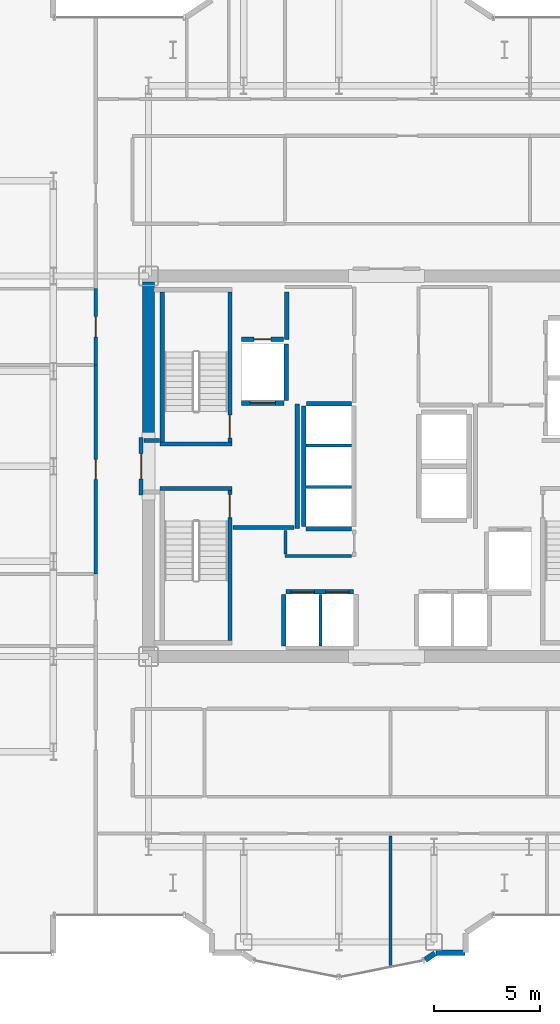
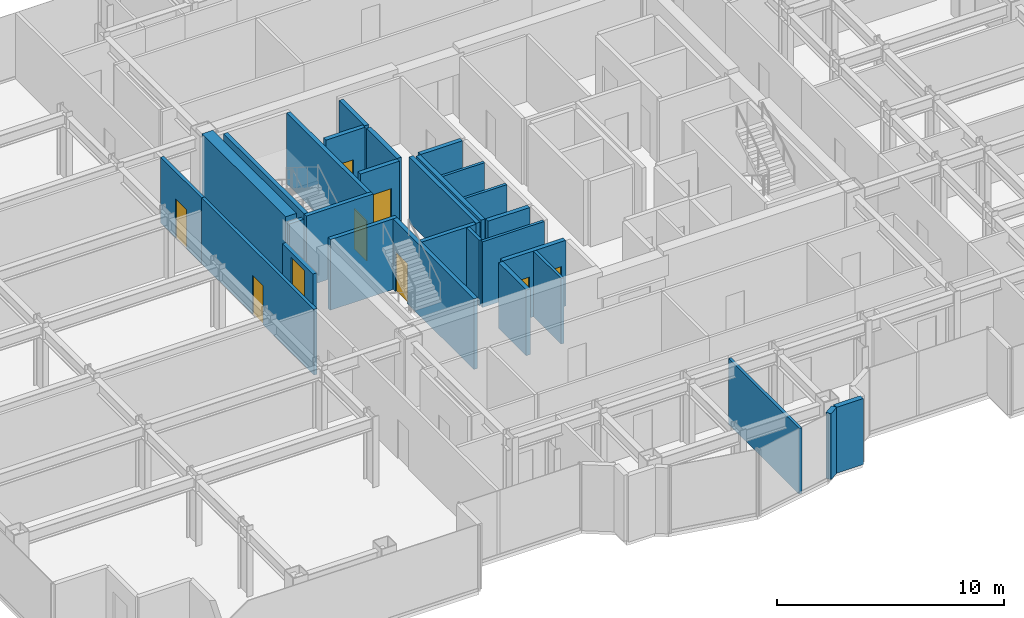
# One storey, part 21 of 26: 29 walls, 9 doors, 9 openings.
"""IFC4 building model written with IfcOpenShell, lengths in metres."""

from ifc_helpers import new_model, si_unit, direction, frame, frame_2d, origin, place, context, subcontext, project, spatial, rectangle, extrude, source, transform, mapped, material, layer, layer_set, type_object, element, fill, save


model = new_model("IFC4")

# Units and contexts
model_context = context("Model", 3, precision=1e-05, world=origin(), true_north=direction((0.0, 1.0)))
body_context = subcontext(model_context, "Body", "Model", "MODEL_VIEW")
ifc_project = project(units=[si_unit("LENGTHUNIT", "METRE"), si_unit("AREAUNIT", "SQUARE_METRE"), si_unit("VOLUMEUNIT", "CUBIC_METRE"), si_unit("PLANEANGLEUNIT", "RADIAN"), si_unit("MASSUNIT", "GRAM", prefix="KILO")], contexts=[model_context])

# Site, building, storey
site_placement = place(None, origin())
site = spatial("IfcSite", under=ifc_project, at=site_placement, CompositionType="ELEMENT")
building_placement = place(site_placement, origin())
building = spatial("IfcBuilding", under=site, at=building_placement, Name="Nefas-Gora Pilgrimage Tower", CompositionType="ELEMENT")
storey_placement = place(building_placement, frame((0.0, 0.0, 160.199951171875)))
storey = spatial("IfcBuildingStorey", under=building, at=storey_placement, Name="L39", CompositionType="ELEMENT", Elevation=160.199951171875)

# Walls
ifc_material_1 = material(Name="Concrete C60/75", Category="concrete")
ifc_layer_1 = layer(ifc_material_1, 0.550048828125)
ifc_layer_set_1 = layer_set([ifc_layer_1], Name="Concrete C60/75")
wall_type_1 = type_object("IfcWallType", Name="SW-CORE-550", PredefinedType="SHEAR", material=ifc_layer_set_1)
shared_shape_1 = source(origin(), body_context, "Body", "SweptSolid", [
    extrude(rectangle(XDim=7.375, YDim=0.550048828125, at=frame_2d((3.6875, 0.0))), origin(), (0.0, 0.0, 1.0), 3.800048828125),
])
wall_1_placement = place(storey_placement, frame((-11.25, 1.35009765625, 0.0), z_axis=(0.0, 0.0, 1.0), x_axis=(0.0, 1.0, 0.0)))
element("IfcWall", 1, at=wall_1_placement, inside=storey, type_object=wall_type_1, Name="L39 Core Shear Wall W-North", PredefinedType="SHEAR", context=body_context, shape_type="MappedRepresentation", body=[
    mapped(shared_shape_1, transform((0.0, 0.0, 0.0), x_axis=(1.0, 0.0, 0.0), y_axis=(0.0, 1.0, 0.0), z_axis=(0.0, 0.0, 1.0), scale=1.0)),
])
ifc_material_2 = material(Name="Precast concrete C40/50", Category="concrete")
ifc_layer_2 = layer(ifc_material_2, 0.260009765625)
ifc_layer_set_2 = layer_set([ifc_layer_2], Name="Precast concrete C40/50")
wall_type_2 = type_object("IfcWallType", Name="EW-PORTAL-260", PredefinedType="SOLIDWALL", material=ifc_layer_set_2)
shared_shape_2 = source(origin(), body_context, "Body", "SweptSolid", [
    extrude(rectangle(XDim=1.369873046875, YDim=0.260009765625, at=frame_2d((0.68505859375, 0.0))), origin(), (0.0, 0.0, 1.0), 3.550048828125),
])
wall_2_placement = place(storey_placement, frame((2.35205078125, -23.02001953125, 0.0), z_axis=(0.0, 0.0, 1.0), x_axis=(1.0, 0.0, 0.0)))
element("IfcWall", 2, at=wall_2_placement, inside=storey, type_object=wall_type_2, Name="L39 Lobe Shoulder Precast Spandrel Pier 38", PredefinedType="SOLIDWALL", context=body_context, shape_type="MappedRepresentation", body=[
    mapped(shared_shape_2, transform((0.0, 0.0, 0.0), x_axis=(1.0, 0.0, 0.0), y_axis=(0.0, 1.0, 0.0), z_axis=(0.0, 0.0, 1.0), scale=1.0)),
])
shared_shape_3 = source(origin(), body_context, "Body", "SweptSolid", [
    extrude(rectangle(XDim=0.5654296875, YDim=0.260009765625, at=frame_2d((0.28271484375, 0.0))), origin(), (0.0, 0.0, 1.0), 3.550048828125),
])
wall_3_placement = place(storey_placement, frame((1.83056640625, -23.349609375, 0.0), z_axis=(0.0, 0.0, 1.0), x_axis=(0.831651492666, 0.555297933317, 0.0)))
element("IfcWall", 3, at=wall_3_placement, inside=storey, type_object=wall_type_2, Name="L39 Lobe Shoulder Precast Spandrel Pier 37", PredefinedType="SOLIDWALL", context=body_context, shape_type="MappedRepresentation", body=[
    mapped(shared_shape_3, transform((0.0, 0.0, 0.0), x_axis=(1.0, 0.0, 0.0), y_axis=(0.0, 1.0, 0.0), z_axis=(0.0, 0.0, 1.0), scale=1.0)),
])
ifc_material_3 = material(Name="Concrete C45/55", Category="concrete")
ifc_layer_3 = layer(ifc_material_3, 0.199951171875)
ifc_layer_set_3 = layer_set([ifc_layer_3], Name="Concrete C45/55")
wall_type_3 = type_object("IfcWallType", Name="IW-STAIR-200", PredefinedType="SOLIDWALL", material=ifc_layer_set_3)
shared_shape_4 = source(origin(), body_context, "Body", "SweptSolid", [
    extrude(rectangle(XDim=3.39990234375, YDim=0.199951171875, at=frame_2d((1.699951171875, 0.0))), origin(), (0.0, 0.0, 1.0), 3.800048828125),
])
for number, where, z_axis, x_axis, name in (
    (4, (-7.300048828125, 1.050048828125, 0.0), (0.0, 0.0, 1.0), (-1.0, 0.0, 0.0), "L39 Stairwell Shear Wall ST-01-near"),
    (5, (-10.699951171875, -1.050048828125, 0.0), (0.0, 0.0, 1.0), (1.0, 0.0, 0.0), "L39 Stairwell Shear Wall ST-03-near"),
):
    element("IfcWall", number, at=place(storey_placement, frame(where, z_axis=z_axis, x_axis=x_axis)), inside=storey, type_object=wall_type_3, Name=name, PredefinedType="SOLIDWALL", context=body_context, shape_type="MappedRepresentation", body=[
        mapped(shared_shape_4, transform((0.0, 0.0, 0.0), x_axis=(1.0, 0.0, 0.0), y_axis=(0.0, 1.0, 0.0), z_axis=(0.0, 0.0, 1.0), scale=1.0)),
    ])

# Wall, opening, door
shared_shape_5 = source(origin(), body_context, "Body", "SweptSolid", [
    extrude(rectangle(XDim=7.10009765625, YDim=0.199951171875, at=frame_2d((3.550048828125, 0.0))), origin(), (0.0, 0.0, 1.0), 3.800048828125),
])
wall_4_placement = place(storey_placement, frame((-7.39990234375, 1.14990234375, 0.0), z_axis=(0.0, 0.0, 1.0), x_axis=(0.0, 1.0, 0.0)))
wall_4 = element("IfcWall", 6, at=wall_4_placement, inside=storey, type_object=wall_type_3, Name="L39 Stairwell Shear Wall ST-01-left", PredefinedType="SOLIDWALL", context=body_context, shape_type="MappedRepresentation", body=[
    mapped(shared_shape_5, transform((0.0, 0.0, 0.0), x_axis=(1.0, 0.0, 0.0), y_axis=(0.0, 1.0, 0.0), z_axis=(0.0, 0.0, 1.0), scale=1.0)),
])
opening_1_placement = place(wall_4_placement, frame((0.179931640625, 0.0, 0.0)))
opening_1 = element("IfcOpeningElement", 7, at=opening_1_placement, cuts=wall_4, Name="Opening ID-ST1", PredefinedType="OPENING", context=body_context, shape_type="SweptSolid", body=[
    extrude(rectangle(XDim=1.10009765625, YDim=2.14990234375, at=frame_2d((0.550048828125, 1.074951171875))), frame((0.0, 0.10986328125, 0.0), z_axis=(0.0, -1.0, 0.0), x_axis=(1.0, 0.0, 0.0)), (0.0, 0.0, 1.0), 0.219970703125),
])
ifc_material_4 = material(Name="Painted galvanised steel fire stair door", Category="steel")
door_type_1 = type_object("IfcDoorType", Name="DR-INT-STAIR-1100", OperationType="NOTDEFINED", PredefinedType="DOOR", material=ifc_material_4)
shared_shape_6 = source(origin(), body_context, "Body", "SweptSolid", [
    extrude(rectangle(XDim=1.10009765625, YDim=2.14990234375, at=frame_2d((0.550048828125, 1.074951171875))), frame((0.0, 0.02490234375, 0.0), z_axis=(0.0, -1.0, 0.0), x_axis=(1.0, 0.0, 0.0)), (0.0, 0.0, 1.0), 0.050048828125),
])
door_1_placement = place(opening_1_placement, origin())
door_1 = element("IfcDoor", 8, at=door_1_placement, inside=storey, type_object=door_type_1, Name="L39 Protected Exit Stair Door ST-01", OperationType="SINGLE_SWING_LEFT", OverallHeight=2.14990234375, OverallWidth=1.10009765625, PredefinedType="DOOR", context=body_context, shape_type="MappedRepresentation", body=[
    mapped(shared_shape_6, transform((0.0, 0.0, 0.0), x_axis=(1.0, 0.0, 0.0), y_axis=(0.0, 1.0, 0.0), z_axis=(0.0, 0.0, 1.0), scale=1.0)),
])
fill(opening_1, door_1)

# Wall
wall_5_placement = place(storey_placement, frame((-10.60009765625, 1.14990234375, 0.0), z_axis=(0.0, 0.0, 1.0), x_axis=(0.0, 1.0, 0.0)))
element("IfcWall", 9, at=wall_5_placement, inside=storey, type_object=wall_type_3, Name="L39 Stairwell Shear Wall ST-01-right", PredefinedType="SOLIDWALL", context=body_context, shape_type="MappedRepresentation", body=[
    mapped(shared_shape_5, transform((0.0, 0.0, 0.0), x_axis=(1.0, 0.0, 0.0), y_axis=(0.0, 1.0, 0.0), z_axis=(0.0, 0.0, 1.0), scale=1.0)),
])

# Wall, opening, door
wall_6_placement = place(storey_placement, frame((-7.39990234375, -1.14990234375, 0.0), z_axis=(0.0, 0.0, 1.0), x_axis=(0.0, -1.0, 0.0)))
wall_6 = element("IfcWall", 10, at=wall_6_placement, inside=storey, type_object=wall_type_3, Name="L39 Stairwell Shear Wall ST-03-right", PredefinedType="SOLIDWALL", context=body_context, shape_type="MappedRepresentation", body=[
    mapped(shared_shape_5, transform((0.0, 0.0, 0.0), x_axis=(1.0, 0.0, 0.0), y_axis=(0.0, 1.0, 0.0), z_axis=(0.0, 0.0, 1.0), scale=1.0)),
])
opening_2_placement = place(wall_6_placement, frame((0.179931640625, 0.0, 0.0)))
opening_2 = element("IfcOpeningElement", 11, at=opening_2_placement, cuts=wall_6, Name="Opening ID-ST1", PredefinedType="OPENING", context=body_context, shape_type="SweptSolid", body=[
    extrude(rectangle(XDim=1.10009765625, YDim=2.14990234375, at=frame_2d((0.550048828125, 1.074951171875))), frame((0.0, 0.10986328125, 0.0), z_axis=(0.0, -1.0, 0.0), x_axis=(1.0, 0.0, 0.0)), (0.0, 0.0, 1.0), 0.219970703125),
])
door_2_placement = place(opening_2_placement, origin())
door_2 = element("IfcDoor", 12, at=door_2_placement, inside=storey, type_object=door_type_1, Name="L39 Protected Exit Stair Door ST-03", OperationType="SINGLE_SWING_LEFT", OverallHeight=2.14990234375, OverallWidth=1.10009765625, PredefinedType="DOOR", context=body_context, shape_type="MappedRepresentation", body=[
    mapped(shared_shape_6, transform((0.0, 0.0, 0.0), x_axis=(1.0, 0.0, 0.0), y_axis=(0.0, 1.0, 0.0), z_axis=(0.0, 0.0, 1.0), scale=1.0)),
])
fill(opening_2, door_2)

ifc_material_5 = material(Name="Concrete C40/50", Category="concrete")
ifc_layer_4 = layer(ifc_material_5, 0.219970703125)
ifc_layer_set_4 = layer_set([ifc_layer_4], Name="Concrete C40/50")
wall_type_4 = type_object("IfcWallType", Name="IW-SHAFT-220", PredefinedType="SOLIDWALL", material=ifc_layer_set_4)
shared_shape_7 = source(origin(), body_context, "Body", "SweptSolid", [
    extrude(rectangle(XDim=2.0, YDim=0.219970703125, at=frame_2d((1.0, 0.0))), origin(), (0.0, 0.0, 1.0), 3.53515625),
])
wall_7_placement = place(storey_placement, frame((-6.85009765625, 2.989990234375, 0.0), z_axis=(0.0, 0.0, 1.0), x_axis=(1.0, 0.0, 0.0)))
wall_7 = element("IfcWall", 13, at=wall_7_placement, inside=storey, type_object=wall_type_4, Name="L39 Hoistway Wall FFL-01-S", PredefinedType="SOLIDWALL", context=body_context, shape_type="MappedRepresentation", body=[
    mapped(shared_shape_7, transform((0.0, 0.0, 0.0), x_axis=(1.0, 0.0, 0.0), y_axis=(0.0, 1.0, 0.0), z_axis=(0.0, 0.0, 1.0), scale=1.0)),
])
opening_3_placement = place(wall_7_placement, frame((0.39990234375, 0.0, 0.0)))
opening_3 = element("IfcOpeningElement", 14, at=opening_3_placement, cuts=wall_7, Name="Opening LD-FF", PredefinedType="OPENING", context=body_context, shape_type="SweptSolid", body=[
    extrude(rectangle(XDim=1.199951171875, YDim=2.199951171875, at=frame_2d((0.60009765625, 1.10009765625))), frame((0.0, 0.119873046875, 0.0), z_axis=(0.0, -1.0, 0.0), x_axis=(1.0, 0.0, 0.0)), (0.0, 0.0, 1.0), 0.239990234375),
])
ifc_material_6 = material(Name="Fire-service sliding lift landing door")
door_type_2 = type_object("IfcDoorType", Name="DR-LIFT-FSAE-1200", OperationType="SLIDING_TO_LEFT", PredefinedType="DOOR", material=ifc_material_6)
shared_shape_8 = source(origin(), body_context, "Body", "SweptSolid", [
    extrude(rectangle(XDim=1.199951171875, YDim=2.199951171875, at=frame_2d((0.60009765625, 1.10009765625))), frame((0.0, 0.02490234375, 0.0), z_axis=(0.0, -1.0, 0.0), x_axis=(1.0, 0.0, 0.0)), (0.0, 0.0, 1.0), 0.050048828125),
])
door_3_placement = place(opening_3_placement, origin())
door_3 = element("IfcDoor", 15, at=door_3_placement, inside=storey, type_object=door_type_2, Name="L39 Sliding Lift Landing Door FFL-01", OperationType="SLIDING_TO_LEFT", OverallHeight=2.199951171875, OverallWidth=1.199951171875, PredefinedType="DOOR", context=body_context, shape_type="MappedRepresentation", body=[
    mapped(shared_shape_8, transform((0.0, 0.0, 0.0), x_axis=(1.0, 0.0, 0.0), y_axis=(0.0, 1.0, 0.0), z_axis=(0.0, 0.0, 1.0), scale=1.0)),
])
fill(opening_3, door_3)

# Wall
shared_shape_9 = source(origin(), body_context, "Body", "SweptSolid", [
    extrude(rectangle(XDim=2.679931640625, YDim=0.219970703125, at=frame_2d((1.33984375, 0.0))), origin(), (0.0, 0.0, 1.0), 3.53515625),
])
wall_8_placement = place(storey_placement, frame((-4.739990234375, 3.110107421875, 0.0), z_axis=(0.0, 0.0, 1.0), x_axis=(0.0, 1.0, 0.0)))
element("IfcWall", 16, at=wall_8_placement, inside=storey, type_object=wall_type_4, Name="L39 Hoistway Wall FFL-01-E", PredefinedType="SOLIDWALL", context=body_context, shape_type="MappedRepresentation", body=[
    mapped(shared_shape_9, transform((0.0, 0.0, 0.0), x_axis=(1.0, 0.0, 0.0), y_axis=(0.0, 1.0, 0.0), z_axis=(0.0, 0.0, 1.0), scale=1.0)),
])

# Wall, openings, doors
shared_shape_10 = source(origin(), body_context, "Body", "SweptSolid", [
    extrude(rectangle(XDim=3.199951171875, YDim=0.219970703125, at=frame_2d((1.60009765625, 0.0))), origin(), (0.0, 0.0, 1.0), 3.53515625),
])
wall_9_placement = place(storey_placement, frame((-1.550048828125, -5.93994140625, 0.0), z_axis=(0.0, 0.0, 1.0), x_axis=(-1.0, 0.0, 0.0)))
wall_9 = element("IfcWall", 17, at=wall_9_placement, inside=storey, type_object=wall_type_4, Name="L39 Hoistway Wall PL2-W-N", PredefinedType="SOLIDWALL", context=body_context, shape_type="MappedRepresentation", body=[
    mapped(shared_shape_10, transform((0.0, 0.0, 0.0), x_axis=(1.0, 0.0, 0.0), y_axis=(0.0, 1.0, 0.0), z_axis=(0.0, 0.0, 1.0), scale=1.0)),
])
opening_4_placement = place(wall_9_placement, frame((1.85009765625, 0.0, 0.0)))
opening_4 = element("IfcOpeningElement", 18, at=opening_4_placement, cuts=wall_9, Name="Opening LD-01", PredefinedType="OPENING", context=body_context, shape_type="SweptSolid", body=[
    extrude(rectangle(XDim=1.10009765625, YDim=2.199951171875, at=frame_2d((0.550048828125, 1.10009765625))), frame((0.0, 0.119873046875, 0.0), z_axis=(0.0, -1.0, 0.0), x_axis=(1.0, 0.0, 0.0)), (0.0, 0.0, 1.0), 0.239990234375),
])
opening_5_placement = place(wall_9_placement, frame((0.22509765625, 0.0, 0.0)))
opening_5 = element("IfcOpeningElement", 19, at=opening_5_placement, cuts=wall_9, Name="Opening LD-01", PredefinedType="OPENING", context=body_context, shape_type="SweptSolid", body=[
    extrude(rectangle(XDim=1.10009765625, YDim=2.199951171875, at=frame_2d((0.550048828125, 1.10009765625))), frame((0.0, 0.119873046875, 0.0), z_axis=(0.0, -1.0, 0.0), x_axis=(1.0, 0.0, 0.0)), (0.0, 0.0, 1.0), 0.239990234375),
])
ifc_material_7 = material(Name="Brushed stainless sliding lift landing door")
door_type_3 = type_object("IfcDoorType", Name="DR-LIFT-PASS-1100", OperationType="DOUBLE_DOOR_SLIDING", PredefinedType="DOOR", material=ifc_material_7)
shared_shape_11 = source(origin(), body_context, "Body", "SweptSolid", [
    extrude(rectangle(XDim=1.10009765625, YDim=2.199951171875, at=frame_2d((0.550048828125, 1.10009765625))), frame((0.0, 0.02490234375, 0.0), z_axis=(0.0, -1.0, 0.0), x_axis=(1.0, 0.0, 0.0)), (0.0, 0.0, 1.0), 0.050048828125),
])
door_4_placement = place(opening_4_placement, origin())
door_4 = element("IfcDoor", 20, at=door_4_placement, inside=storey, type_object=door_type_3, Name="L39 Sliding Lift Landing Door PL2-01", OperationType="DOUBLE_DOOR_SLIDING", OverallHeight=2.199951171875, OverallWidth=1.10009765625, PredefinedType="DOOR", context=body_context, shape_type="MappedRepresentation", body=[
    mapped(shared_shape_11, transform((0.0, 0.0, 0.0), x_axis=(1.0, 0.0, 0.0), y_axis=(0.0, 1.0, 0.0), z_axis=(0.0, 0.0, 1.0), scale=1.0)),
])
fill(opening_4, door_4)
door_5_placement = place(opening_5_placement, origin())
door_5 = element("IfcDoor", 21, at=door_5_placement, inside=storey, type_object=door_type_3, Name="L39 Sliding Lift Landing Door PL2-02", OperationType="DOUBLE_DOOR_SLIDING", OverallHeight=2.199951171875, OverallWidth=1.10009765625, PredefinedType="DOOR", context=body_context, shape_type="MappedRepresentation", body=[
    mapped(shared_shape_11, transform((0.0, 0.0, 0.0), x_axis=(1.0, 0.0, 0.0), y_axis=(0.0, 1.0, 0.0), z_axis=(0.0, 0.0, 1.0), scale=1.0)),
])
fill(opening_5, door_5)

# Walls
shared_shape_12 = source(origin(), body_context, "Body", "SweptSolid", [
    extrude(rectangle(XDim=2.429931640625, YDim=0.219970703125, at=frame_2d((1.21484375, 0.0))), origin(), (0.0, 0.0, 1.0), 3.53515625),
])
wall_10_placement = place(storey_placement, frame((-4.860107421875, -6.06005859375, 0.0), z_axis=(0.0, 0.0, 1.0), x_axis=(0.0, -1.0, 0.0)))
element("IfcWall", 22, at=wall_10_placement, inside=storey, type_object=wall_type_4, Name="L39 Hoistway Wall PL2-W-W", PredefinedType="SOLIDWALL", context=body_context, shape_type="MappedRepresentation", body=[
    mapped(shared_shape_12, transform((0.0, 0.0, 0.0), x_axis=(1.0, 0.0, 0.0), y_axis=(0.0, 1.0, 0.0), z_axis=(0.0, 0.0, 1.0), scale=1.0)),
])
ifc_material_8 = material(Name="Gypsum twin-stud partition")
ifc_layer_5 = layer(ifc_material_8, 0.139892578125)
ifc_layer_set_5 = layer_set([ifc_layer_5], Name="Gypsum twin-stud partition")
wall_type_5 = type_object("IfcWallType", Name="IW-UNIT-140", PredefinedType="PARTITIONING", material=ifc_layer_set_5)
shared_shape_13 = source(origin(), body_context, "Body", "SweptSolid", [
    extrude(rectangle(XDim=2.429931640625, YDim=0.139892578125, at=frame_2d((1.21484375, 0.0))), origin(), (0.0, 0.0, 1.0), 3.53515625),
])
wall_11_placement = place(storey_placement, frame((-3.125, -8.489990234375, 0.0), z_axis=(0.0, 0.0, 1.0), x_axis=(0.0, 1.0, 0.0)))
element("IfcWall", 23, at=wall_11_placement, inside=storey, type_object=wall_type_5, Name="L39 Hoistway Wall PL2-W-DIV", PredefinedType="PARTITIONING", context=body_context, shape_type="MappedRepresentation", body=[
    mapped(shared_shape_13, transform((0.0, 0.0, 0.0), x_axis=(1.0, 0.0, 0.0), y_axis=(0.0, 1.0, 0.0), z_axis=(0.0, 0.0, 1.0), scale=1.0)),
])
shared_shape_14 = source(origin(), body_context, "Body", "SweptSolid", [
    extrude(rectangle(XDim=5.7001953125, YDim=0.219970703125, at=frame_2d((2.85009765625, 0.0))), origin(), (0.0, 0.0, 1.0), 3.53515625),
])
wall_12_placement = place(storey_placement, frame((-3.909912109375, 2.85009765625, 0.0), z_axis=(0.0, 0.0, 1.0), x_axis=(0.0, -1.0, 0.0)))
element("IfcWall", 24, at=wall_12_placement, inside=storey, type_object=wall_type_4, Name="L39 Hoistway Wall PL3-01-03-W", PredefinedType="SOLIDWALL", context=body_context, shape_type="MappedRepresentation", body=[
    mapped(shared_shape_14, transform((0.0, 0.0, 0.0), x_axis=(1.0, 0.0, 0.0), y_axis=(0.0, 1.0, 0.0), z_axis=(0.0, 0.0, 1.0), scale=1.0)),
])
shared_shape_15 = source(origin(), body_context, "Body", "SweptSolid", [
    extrude(rectangle(XDim=2.130126953125, YDim=0.219970703125, at=frame_2d((1.06494140625, 0.0))), origin(), (0.0, 0.0, 1.0), 3.53515625),
])
for number, where, z_axis, x_axis, name in (
    (25, (-3.7900390625, -2.9599609375, 0.0), (0.0, 0.0, 1.0), (1.0, 0.0, 0.0), "L39 Hoistway Wall PL3-01-S"),
    (26, (-1.659912109375, 2.9599609375, 0.0), (0.0, 0.0, 1.0), (-1.0, 0.0, 0.0), "L39 Hoistway Wall PL3-03-N"),
):
    element("IfcWall", number, at=place(storey_placement, frame(where, z_axis=z_axis, x_axis=x_axis)), inside=storey, type_object=wall_type_4, Name=name, PredefinedType="SOLIDWALL", context=body_context, shape_type="MappedRepresentation", body=[
        mapped(shared_shape_15, transform((0.0, 0.0, 0.0), x_axis=(1.0, 0.0, 0.0), y_axis=(0.0, 1.0, 0.0), z_axis=(0.0, 0.0, 1.0), scale=1.0)),
    ])
shared_shape_16 = source(origin(), body_context, "Body", "SweptSolid", [
    extrude(rectangle(XDim=2.130126953125, YDim=0.139892578125, at=frame_2d((1.06494140625, 0.0))), origin(), (0.0, 0.0, 1.0), 3.53515625),
])
for number, where, z_axis, x_axis, name in (
    (27, (-3.7900390625, -0.97509765625, 0.0), (0.0, 0.0, 1.0), (1.0, 0.0, 0.0), "L39 Hoistway Wall PL3-01-02-DIV"),
    (28, (-3.7900390625, 0.97509765625, 0.0), (0.0, 0.0, 1.0), (1.0, 0.0, 0.0), "L39 Hoistway Wall PL3-02-03-DIV"),
):
    element("IfcWall", number, at=place(storey_placement, frame(where, z_axis=z_axis, x_axis=x_axis)), inside=storey, type_object=wall_type_5, Name=name, PredefinedType="PARTITIONING", context=body_context, shape_type="MappedRepresentation", body=[
        mapped(shared_shape_16, transform((0.0, 0.0, 0.0), x_axis=(1.0, 0.0, 0.0), y_axis=(0.0, 1.0, 0.0), z_axis=(0.0, 0.0, 1.0), scale=1.0)),
    ])

# Wall, opening, door
ifc_material_9 = material(Name="Gypsum fire-rated shaftwall")
ifc_layer_6 = layer(ifc_material_9, 0.199951171875)
ifc_layer_set_6 = layer_set([ifc_layer_6], Name="Gypsum fire-rated shaftwall")
wall_type_6 = type_object("IfcWallType", Name="IW-FFLOB-200", PredefinedType="PARTITIONING", material=ifc_layer_set_6)
shared_shape_17 = source(origin(), body_context, "Body", "SweptSolid", [
    extrude(rectangle(XDim=2.7001953125, YDim=0.199951171875, at=frame_2d((1.35009765625, 0.0))), origin(), (0.0, 0.0, 1.0), 2.425048828125),
])
wall_13_placement = place(storey_placement, frame((-11.60009765625, -1.35009765625, 0.0), z_axis=(0.0, 0.0, 1.0), x_axis=(0.0, 1.0, 0.0)))
wall_13 = element("IfcWall", 29, at=wall_13_placement, inside=storey, type_object=wall_type_6, Name="L39 FF Lobby West Portal Wall 4", PredefinedType="PARTITIONING", context=body_context, shape_type="MappedRepresentation", body=[
    mapped(shared_shape_17, transform((0.0, 0.0, 0.0), x_axis=(1.0, 0.0, 0.0), y_axis=(0.0, 1.0, 0.0), z_axis=(0.0, 0.0, 1.0), scale=1.0)),
])
opening_6_placement = place(wall_13_placement, frame((0.75, 0.0, 0.0)))
opening_6 = element("IfcOpeningElement", 30, at=opening_6_placement, cuts=wall_13, Name="Opening ID-FF1", PredefinedType="OPENING", context=body_context, shape_type="SweptSolid", body=[
    extrude(rectangle(XDim=1.199951171875, YDim=2.14990234375, at=frame_2d((0.60009765625, 1.074951171875))), frame((0.0, 0.10986328125, 0.0), z_axis=(0.0, -1.0, 0.0), x_axis=(1.0, 0.0, 0.0)), (0.0, 0.0, 1.0), 0.219970703125),
])
ifc_material_10 = material(Name="Smoke-sealed steel firefighting lobby door", Category="steel")
door_type_4 = type_object("IfcDoorType", Name="DR-INT-FFLOB-1200", OperationType="NOTDEFINED", PredefinedType="DOOR", material=ifc_material_10)
shared_shape_18 = source(origin(), body_context, "Body", "SweptSolid", [
    extrude(rectangle(XDim=1.199951171875, YDim=2.14990234375, at=frame_2d((0.60009765625, 1.074951171875))), frame((0.0, 0.02490234375, 0.0), z_axis=(0.0, -1.0, 0.0), x_axis=(1.0, 0.0, 0.0)), (0.0, 0.0, 1.0), 0.050048828125),
])
door_6_placement = place(opening_6_placement, origin())
door_6 = element("IfcDoor", 31, at=door_6_placement, inside=storey, type_object=door_type_4, Name="L39 FF Lobby West Portal Door 2", OperationType="SINGLE_SWING_LEFT", OverallHeight=2.14990234375, OverallWidth=1.199951171875, PredefinedType="DOOR", context=body_context, shape_type="MappedRepresentation", body=[
    mapped(shared_shape_18, transform((0.0, 0.0, 0.0), x_axis=(1.0, 0.0, 0.0), y_axis=(0.0, 1.0, 0.0), z_axis=(0.0, 0.0, 1.0), scale=1.0)),
])
fill(opening_6, door_6)

# Walls
shared_shape_19 = source(origin(), body_context, "Body", "SweptSolid", [
    extrude(rectangle(XDim=5.89990234375, YDim=0.199951171875, at=frame_2d((2.949951171875, 0.0))), origin(), (0.0, 0.0, 1.0), 3.53515625),
])
wall_14_placement = place(storey_placement, frame((-4.219970703125, -2.949951171875, 0.0), z_axis=(0.0, 0.0, 1.0), x_axis=(0.0, 1.0, 0.0)))
element("IfcWall", 32, at=wall_14_placement, inside=storey, type_object=wall_type_6, Name="L39 FF Lobby West Inner Wall Wall 5", PredefinedType="PARTITIONING", context=body_context, shape_type="MappedRepresentation", body=[
    mapped(shared_shape_19, transform((0.0, 0.0, 0.0), x_axis=(1.0, 0.0, 0.0), y_axis=(0.0, 1.0, 0.0), z_axis=(0.0, 0.0, 1.0), scale=1.0)),
])
shared_shape_20 = source(origin(), body_context, "Body", "SweptSolid", [
    extrude(rectangle(XDim=2.89990234375, YDim=0.199951171875, at=frame_2d((1.449951171875, 0.0))), origin(), (0.0, 0.0, 1.0), 3.53515625),
])
wall_15_placement = place(storey_placement, frame((-7.260009765625, -2.89990234375, 0.0), z_axis=(0.0, 0.0, 1.0), x_axis=(1.0, 0.0, 0.0)))
element("IfcWall", 33, at=wall_15_placement, inside=storey, type_object=wall_type_6, Name="L39 FF Lobby West South Wall Wall 6", PredefinedType="PARTITIONING", context=body_context, shape_type="MappedRepresentation", body=[
    mapped(shared_shape_20, transform((0.0, 0.0, 0.0), x_axis=(1.0, 0.0, 0.0), y_axis=(0.0, 1.0, 0.0), z_axis=(0.0, 0.0, 1.0), scale=1.0)),
])
shared_shape_21 = source(origin(), body_context, "Body", "SweptSolid", [
    extrude(rectangle(XDim=0.719970703125, YDim=0.199951171875, at=frame_2d((0.35986328125, 0.0))), origin(), (0.0, 0.0, 1.0), 3.53515625),
])
wall_16_placement = place(storey_placement, frame((-11.4599609375, 1.219970703125, 0.0), z_axis=(0.0, 0.0, 1.0), x_axis=(1.0, 0.0, 0.0)))
element("IfcWall", 34, at=wall_16_placement, inside=storey, type_object=wall_type_6, Name="L39 FF Lobby West Throat N Wall 7", PredefinedType="PARTITIONING", context=body_context, shape_type="MappedRepresentation", body=[
    mapped(shared_shape_21, transform((0.0, 0.0, 0.0), x_axis=(1.0, 0.0, 0.0), y_axis=(0.0, 1.0, 0.0), z_axis=(0.0, 0.0, 1.0), scale=1.0)),
])
shared_shape_22 = source(origin(), body_context, "Body", "SweptSolid", [
    extrude(rectangle(XDim=3.150146484375, YDim=0.139892578125, at=frame_2d((1.5751953125, 0.0))), origin(), (0.0, 0.0, 1.0), 3.53515625),
])
wall_17_placement = place(storey_placement, frame((-4.7900390625, -4.25, 0.0), z_axis=(0.0, 0.0, 1.0), x_axis=(1.0, 0.0, 0.0)))
element("IfcWall", 35, at=wall_17_placement, inside=storey, type_object=wall_type_5, Name="L39 Pilgrim Baggage and Gear Vault Partition Wall 21", PredefinedType="PARTITIONING", context=body_context, shape_type="MappedRepresentation", body=[
    mapped(shared_shape_22, transform((0.0, 0.0, 0.0), x_axis=(1.0, 0.0, 0.0), y_axis=(0.0, 1.0, 0.0), z_axis=(0.0, 0.0, 1.0), scale=1.0)),
])

# Wall, opening, door
ifc_material_11 = material(Name="Gypsum acoustic stud partition")
ifc_layer_7 = layer(ifc_material_11, 0.159912109375)
ifc_layer_set_7 = layer_set([ifc_layer_7], Name="Gypsum acoustic stud partition")
wall_type_7 = type_object("IfcWallType", Name="IW-CORR-160", PredefinedType="PARTITIONING", material=ifc_layer_set_7)
shared_shape_23 = source(origin(), body_context, "Body", "SweptSolid", [
    extrude(rectangle(XDim=3.610107421875, YDim=0.159912109375, at=frame_2d((1.80517578125, 0.0))), origin(), (0.0, 0.0, 1.0), 3.53515625),
])
wall_18_placement = place(storey_placement, frame((-13.739990234375, 4.794921875, 0.0), z_axis=(0.0, 0.0, 1.0), x_axis=(0.0, 1.0, 0.0)))
wall_18 = element("IfcWall", 36, at=wall_18_placement, inside=storey, type_object=wall_type_7, Name="L39 Pilgrim Fellowship Seminar Room Partition Wall 34", PredefinedType="PARTITIONING", context=body_context, shape_type="MappedRepresentation", body=[
    mapped(shared_shape_23, transform((0.0, 0.0, 0.0), x_axis=(1.0, 0.0, 0.0), y_axis=(0.0, 1.0, 0.0), z_axis=(0.0, 0.0, 1.0), scale=1.0)),
])
opening_7_placement = place(wall_18_placement, frame((1.330078125, 0.0, 0.0)))
opening_7 = element("IfcOpeningElement", 37, at=opening_7_placement, cuts=wall_18, Name="Opening ID-GR1", PredefinedType="OPENING", context=body_context, shape_type="SweptSolid", body=[
    extrude(rectangle(XDim=0.949951171875, YDim=2.10009765625, at=frame_2d((0.47509765625, 1.050048828125))), frame((0.0, 0.08984375, 0.0), z_axis=(0.0, -1.0, 0.0), x_axis=(1.0, 0.0, 0.0)), (0.0, 0.0, 1.0), 0.179931640625),
])
ifc_material_12 = material(Name="Solid core oak fire-rated guest entrance door")
door_type_5 = type_object("IfcDoorType", Name="DR-INT-GUEST-950", OperationType="NOTDEFINED", PredefinedType="DOOR", material=ifc_material_12)
shared_shape_24 = source(origin(), body_context, "Body", "SweptSolid", [
    extrude(rectangle(XDim=0.949951171875, YDim=2.10009765625, at=frame_2d((0.47509765625, 1.050048828125))), frame((0.0, 0.02490234375, 0.0), z_axis=(0.0, -1.0, 0.0), x_axis=(1.0, 0.0, 0.0)), (0.0, 0.0, 1.0), 0.050048828125),
])
door_7_placement = place(opening_7_placement, origin())
door_7 = element("IfcDoor", 38, at=door_7_placement, inside=storey, type_object=door_type_5, Name="L39 Pilgrim Fellowship Seminar Room Door 14", OperationType="SINGLE_SWING_LEFT", OverallHeight=2.10009765625, OverallWidth=0.949951171875, PredefinedType="DOOR", context=body_context, shape_type="MappedRepresentation", body=[
    mapped(shared_shape_24, transform((0.0, 0.0, 0.0), x_axis=(1.0, 0.0, 0.0), y_axis=(0.0, 1.0, 0.0), z_axis=(0.0, 0.0, 1.0), scale=1.0)),
])
fill(opening_7, door_7)

# Wall
shared_shape_25 = source(origin(), body_context, "Body", "SweptSolid", [
    extrude(rectangle(XDim=2.25, YDim=0.219970703125, at=frame_2d((1.125, 0.0))), origin(), (0.0, 0.0, 1.0), 3.53515625),
])
wall_19_placement = place(storey_placement, frame((-4.719970703125, 6.0, 0.0), z_axis=(0.0, 0.0, 1.0), x_axis=(0.0, 1.0, 0.0)))
element("IfcWall", 39, at=wall_19_placement, inside=storey, type_object=wall_type_4, Name="L39 Riser Shaft Wall 1", PredefinedType="SOLIDWALL", context=body_context, shape_type="MappedRepresentation", body=[
    mapped(shared_shape_25, transform((0.0, 0.0, 0.0), x_axis=(1.0, 0.0, 0.0), y_axis=(0.0, 1.0, 0.0), z_axis=(0.0, 0.0, 1.0), scale=1.0)),
])

# Wall, opening, door
shared_shape_26 = source(origin(), body_context, "Body", "SweptSolid", [
    extrude(rectangle(XDim=1.97998046875, YDim=0.219970703125, at=frame_2d((0.989990234375, 0.0))), origin(), (0.0, 0.0, 1.0), 3.53515625),
])
wall_20_placement = place(storey_placement, frame((-6.85009765625, 6.0, 0.0), z_axis=(0.0, 0.0, 1.0), x_axis=(1.0, 0.0, 0.0)))
wall_20 = element("IfcWall", 40, at=wall_20_placement, inside=storey, type_object=wall_type_4, Name="L39 Riser Shaft Wall 2", PredefinedType="SOLIDWALL", context=body_context, shape_type="MappedRepresentation", body=[
    mapped(shared_shape_26, transform((0.0, 0.0, 0.0), x_axis=(1.0, 0.0, 0.0), y_axis=(0.0, 1.0, 0.0), z_axis=(0.0, 0.0, 1.0), scale=1.0)),
])
opening_8_placement = place(wall_20_placement, frame((0.590087890625, 0.0, 0.0)))
opening_8 = element("IfcOpeningElement", 41, at=opening_8_placement, cuts=wall_20, Name="Opening ID-TR1", PredefinedType="OPENING", context=body_context, shape_type="SweptSolid", body=[
    extrude(rectangle(XDim=0.800048828125, YDim=2.0, at=frame_2d((0.39990234375, 1.0))), frame((0.0, 0.119873046875, 0.0), z_axis=(0.0, -1.0, 0.0), x_axis=(1.0, 0.0, 0.0)), (0.0, 0.0, 1.0), 0.239990234375),
])
ifc_material_13 = material(Name="Riser maintenance fire access door")
door_type_6 = type_object("IfcDoorType", Name="DR-INT-TRAP-800", OperationType="NOTDEFINED", PredefinedType="TRAPDOOR", material=ifc_material_13)
shared_shape_27 = source(origin(), body_context, "Body", "SweptSolid", [
    extrude(rectangle(XDim=0.800048828125, YDim=2.0, at=frame_2d((0.39990234375, 1.0))), frame((0.0, 0.02490234375, 0.0), z_axis=(0.0, -1.0, 0.0), x_axis=(1.0, 0.0, 0.0)), (0.0, 0.0, 1.0), 0.050048828125),
])
door_8_placement = place(opening_8_placement, origin())
door_8 = element("IfcDoor", 42, at=door_8_placement, inside=storey, type_object=door_type_6, Name="L39 Riser Shaft Door 1", OperationType="SINGLE_SWING_RIGHT", OverallHeight=2.0, OverallWidth=0.800048828125, PredefinedType="TRAPDOOR", context=body_context, shape_type="MappedRepresentation", body=[
    mapped(shared_shape_27, transform((0.0, 0.0, 0.0), x_axis=(1.0, 0.0, 0.0), y_axis=(0.0, 1.0, 0.0), z_axis=(0.0, 0.0, 1.0), scale=1.0)),
])
fill(opening_8, door_8)

# Wall
shared_shape_28 = source(origin(), body_context, "Body", "SweptSolid", [
    extrude(rectangle(XDim=1.099853515625, YDim=0.139892578125, at=frame_2d((0.5498046875, 0.0))), origin(), (0.0, 0.0, 1.0), 3.53515625),
])
wall_21_placement = place(storey_placement, frame((-4.780029296875, -4.139892578125, 0.0), z_axis=(0.0, 0.0, 1.0), x_axis=(0.0, 1.0, 0.0)))
element("IfcWall", 43, at=wall_21_placement, inside=storey, type_object=wall_type_5, Name="L39 Pilgrim Baggage and Gear Vault Partition Wall 22", PredefinedType="PARTITIONING", context=body_context, shape_type="MappedRepresentation", body=[
    mapped(shared_shape_28, transform((0.0, 0.0, 0.0), x_axis=(1.0, 0.0, 0.0), y_axis=(0.0, 1.0, 0.0), z_axis=(0.0, 0.0, 1.0), scale=1.0)),
])

# Wall, opening, door
shared_shape_29 = source(origin(), body_context, "Body", "SweptSolid", [
    extrude(rectangle(XDim=9.909912109375, YDim=0.159912109375, at=frame_2d((4.955078125, 0.0))), origin(), (0.0, 0.0, 1.0), 3.53515625),
])
wall_22_placement = place(storey_placement, frame((-13.739990234375, -5.10498046875, 0.0), z_axis=(0.0, 0.0, 1.0), x_axis=(0.0, 1.0, 0.0)))
wall_22 = element("IfcWall", 44, at=wall_22_placement, inside=storey, type_object=wall_type_7, Name="L39 Pilgrim Fellowship Seminar Room Partition Wall 32", PredefinedType="PARTITIONING", context=body_context, shape_type="MappedRepresentation", body=[
    mapped(shared_shape_29, transform((0.0, 0.0, 0.0), x_axis=(1.0, 0.0, 0.0), y_axis=(0.0, 1.0, 0.0), z_axis=(0.0, 0.0, 1.0), scale=1.0)),
])
opening_9_placement = place(wall_22_placement, frame((4.47998046875, 0.0, 0.0)))
opening_9 = element("IfcOpeningElement", 45, at=opening_9_placement, cuts=wall_22, Name="Opening ID-GR1", PredefinedType="OPENING", context=body_context, shape_type="SweptSolid", body=[
    extrude(rectangle(XDim=0.949951171875, YDim=2.10009765625, at=frame_2d((0.47509765625, 1.050048828125))), frame((0.0, 0.08984375, 0.0), z_axis=(0.0, -1.0, 0.0), x_axis=(1.0, 0.0, 0.0)), (0.0, 0.0, 1.0), 0.179931640625),
])
door_9_placement = place(opening_9_placement, origin())
door_9 = element("IfcDoor", 46, at=door_9_placement, inside=storey, type_object=door_type_5, Name="L39 Pilgrim Fellowship Seminar Room Door 13", OperationType="SINGLE_SWING_RIGHT", OverallHeight=2.10009765625, OverallWidth=0.949951171875, PredefinedType="DOOR", context=body_context, shape_type="MappedRepresentation", body=[
    mapped(shared_shape_24, transform((0.0, 0.0, 0.0), x_axis=(1.0, 0.0, 0.0), y_axis=(0.0, 1.0, 0.0), z_axis=(0.0, 0.0, 1.0), scale=1.0)),
])
fill(opening_9, door_9)

# Wall
shared_shape_30 = source(origin(), body_context, "Body", "SweptSolid", [
    extrude(rectangle(XDim=6.21630859375, YDim=0.139892578125, at=frame_2d((3.108154296875, 0.0))), origin(), (0.0, 0.0, 1.0), 3.53515625),
])
wall_23_placement = place(storey_placement, frame((0.195068359375, -23.706298828125, 0.0), z_axis=(0.0, 0.0, 1.0), x_axis=(0.0, 1.0, 0.0)))
element("IfcWall", 47, at=wall_23_placement, inside=storey, type_object=wall_type_5, Name="L39 Pilgrim Contemplative Lounge Partition Wall 71", PredefinedType="PARTITIONING", context=body_context, shape_type="MappedRepresentation", body=[
    mapped(shared_shape_30, transform((0.0, 0.0, 0.0), x_axis=(1.0, 0.0, 0.0), y_axis=(0.0, 1.0, 0.0), z_axis=(0.0, 0.0, 1.0), scale=1.0)),
])

save(model, "model.ifc")
